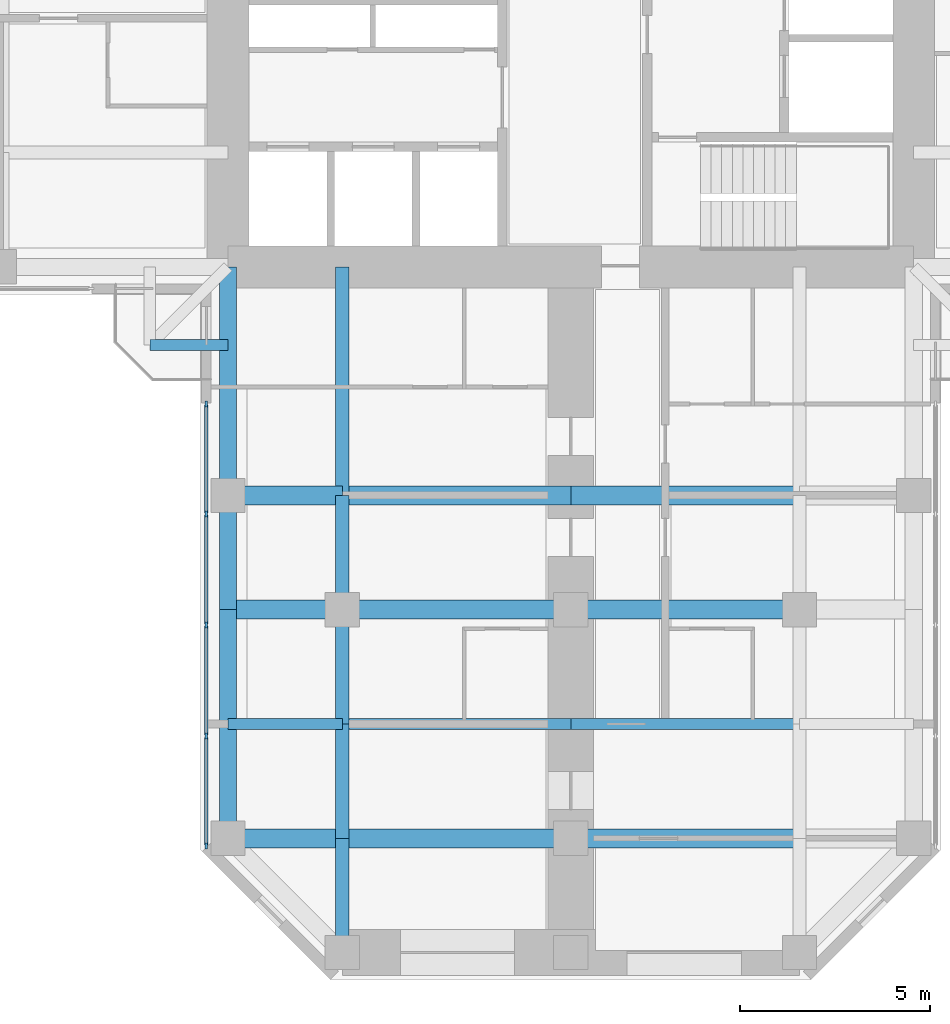
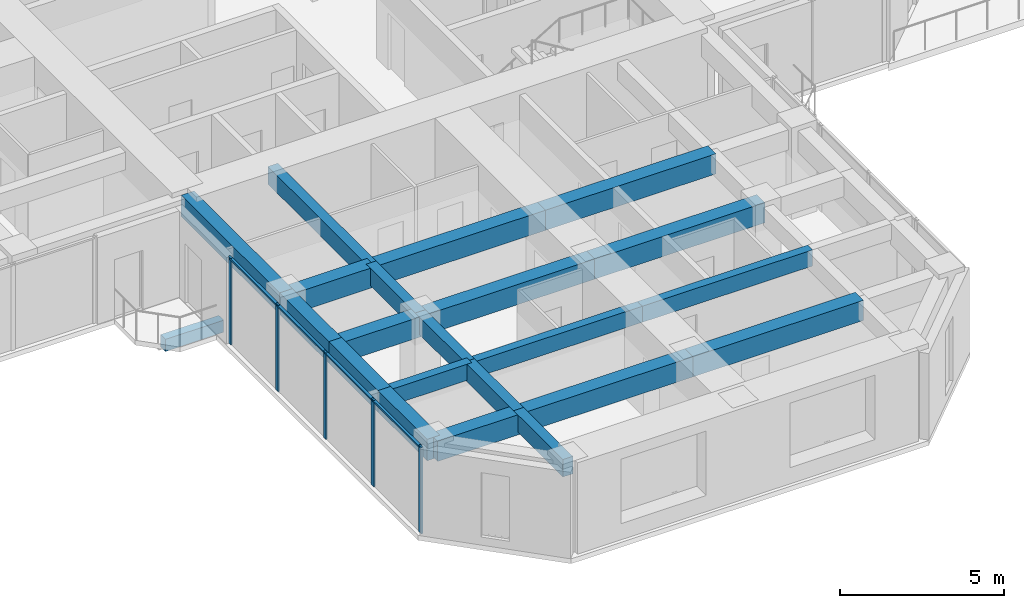
# One storey, part 2 of 14: 22 beams, 9 members, 1 element without a shape of its own.
"""IFC4 building model written with IfcOpenShell, lengths in metres."""

from ifc_helpers import new_model, si_unit, direction, frame, origin, origin_2d, place, context, subcontext, project, spatial, rectangle, extrude, material, material_profile, profile_set, type_object, element, aggregate, save


model = new_model("IFC4")

# Units and contexts
model_context = context("Model", 3, precision=1e-05, world=origin(), true_north=direction((0.0, 1.0)))
body_context = subcontext(model_context, "Body", "Model", "MODEL_VIEW")
ifc_project = project(units=[si_unit("LENGTHUNIT", "METRE"), si_unit("AREAUNIT", "SQUARE_METRE"), si_unit("VOLUMEUNIT", "CUBIC_METRE"), si_unit("PLANEANGLEUNIT", "RADIAN"), si_unit("MASSUNIT", "GRAM", prefix="KILO")], contexts=[model_context])

# Site, building, storey
site_placement = place(None, origin())
site = spatial("IfcSite", under=ifc_project, at=site_placement, CompositionType="ELEMENT")
building_placement = place(site_placement, origin())
building = spatial("IfcBuilding", under=site, at=building_placement, Name="Torre Cruceta", CompositionType="ELEMENT")
storey_placement = place(building_placement, frame((0.0, 0.0, 169.5)))
storey = spatial("IfcBuildingStorey", under=building, at=storey_placement, Name="L41", CompositionType="ELEMENT", Elevation=169.5)

# Beams
ifc_material_1 = material(Name="Concrete G60 (fck 60 MPa)", Category="concrete")
ifc_material_profile_1 = material_profile(ifc_material_1, rectangle(XDim=0.300048828125, YDim=0.449951171875, at=origin_2d()), Name="RC 300X450")
ifc_profile_set_1 = profile_set([ifc_material_profile_1], Name="Concrete G60 (fck 60 MPa)")
beam_type_1 = type_object("IfcBeamType", Name="BALCONY CANTILEVER BEAM RC 300X450", PredefinedType="BEAM", material=ifc_profile_set_1)
beam_1_placement = place(storey_placement, frame((-9.0, -11.050537109375, -0.405029296875), z_axis=(-1.0, 0.0, 0.0), x_axis=(0.0, -1.0, 0.0)))
element("IfcBeam", 1, at=beam_1_placement, inside=storey, type_object=beam_type_1, Name="BB1 balcony edge beam L41 W-Y", PredefinedType="BEAM", context=body_context, shape_type="SweptSolid", body=[
    extrude(rectangle(XDim=0.300048828125, YDim=0.449951171875, at=origin_2d()), origin(), (0.0, 0.0, 1.0), 2.050537109375),
])
ifc_material_2 = material(Name="Concrete G60 (fck 60 MPa)", Category="concrete")
ifc_material_profile_2 = material_profile(ifc_material_2, rectangle(XDim=0.35009765625, YDim=0.64990234375, at=origin_2d()), Name="RC 350X650")
ifc_profile_set_2 = profile_set([ifc_material_profile_2], Name="Concrete G60 (fck 60 MPa)")
beam_type_2 = type_object("IfcBeamType", Name="COLUMN LINE BEAM RC 350X650", PredefinedType="BEAM", material=ifc_profile_set_2)
beam_2_placement = place(storey_placement, frame((-6.0, -9.0, 2.89501953125), z_axis=(0.0, -1.0, 0.0), x_axis=(1.0, 0.0, 0.0)))
element("IfcBeam", 2, at=beam_2_placement, inside=storey, type_object=beam_type_2, Name="LB7 L41 S col- 1", PredefinedType="BEAM", context=body_context, shape_type="SweptSolid", body=[
    extrude(rectangle(XDim=0.35009765625, YDim=0.64990234375, at=origin_2d()), origin(), (0.0, 0.0, 1.0), 6.0),
])
for number, where, z_axis, x_axis, name in (
    (3, (-6.0, -15.0, 2.89501953125), (0.0, -1.0, 0.0), (1.0, 0.0, 0.0), "LB7 L41 S col- 2"),
    (4, (-6.0, -18.0, 2.89501953125), (0.0, -1.0, 0.0), (1.0, 0.0, 0.0), "LB7 L41 S col- 3"),
    (5, (-6.0, -21.0, 2.89501953125), (0.0, -1.0, 0.0), (1.0, 0.0, 0.0), "LB7 L41 S col- 4"),
    (6, (-6.0, -24.0, 2.89501953125), (0.0, -1.0, 0.0), (1.0, 0.0, 0.0), "LB7 L41 S col- 5"),
):
    element("IfcBeam", number, at=place(storey_placement, frame(where, z_axis=z_axis, x_axis=x_axis)), inside=storey, type_object=beam_type_2, Name=name, PredefinedType="BEAM", context=body_context, shape_type="SweptSolid", body=[
        extrude(rectangle(XDim=0.35009765625, YDim=0.64990234375, at=origin_2d()), origin(), (0.0, 0.0, 1.0), 3.0),
    ])
ifc_material_3 = material(Name="Concrete G60 (fck 60 MPa)", Category="concrete")
ifc_material_profile_3 = material_profile(ifc_material_3, rectangle(XDim=0.5, YDim=0.75, at=origin_2d()), Name="RC 500X750")
ifc_profile_set_3 = profile_set([ifc_material_profile_3], Name="Concrete G60 (fck 60 MPa)")
beam_type_3 = type_object("IfcBeamType", Name="CROSS BEAM RC 500X750", PredefinedType="BEAM", material=ifc_profile_set_3)
beam_3_placement = place(storey_placement, frame((-9.0, -15.0, 2.844970703125), z_axis=(1.0, 0.0, 0.0), x_axis=(0.0, 1.0, 0.0)))
element("IfcBeam", 7, at=beam_3_placement, inside=storey, type_object=beam_type_3, Name="GB6 L41 S cross15 1", PredefinedType="BEAM", context=body_context, shape_type="SweptSolid", body=[
    extrude(rectangle(XDim=0.5, YDim=0.75, at=origin_2d()), origin(), (0.0, 0.0, 1.0), 3.0),
])
for number, where, z_axis, x_axis, name in (
    (8, (-6.0, -15.0, 2.844970703125), (1.0, 0.0, 0.0), (0.0, 1.0, 0.0), "GB6 L41 S cross15 2"),
    (9, (0.0, -15.0, 2.844970703125), (1.0, 0.0, 0.0), (0.0, 1.0, 0.0), "GB6 L41 S cross15 3"),
):
    element("IfcBeam", number, at=place(storey_placement, frame(where, z_axis=z_axis, x_axis=x_axis)), inside=storey, type_object=beam_type_3, Name=name, PredefinedType="BEAM", context=body_context, shape_type="SweptSolid", body=[
        extrude(rectangle(XDim=0.5, YDim=0.75, at=origin_2d()), origin(), (0.0, 0.0, 1.0), 6.0),
    ])
beam_4_placement = place(storey_placement, frame((-9.0, -18.0, 2.844970703125), z_axis=(1.0, 0.0, 0.0), x_axis=(0.0, 1.0, 0.0)))
element("IfcBeam", 10, at=beam_4_placement, inside=storey, type_object=beam_type_3, Name="GB6 L41 S cross18 1", PredefinedType="BEAM", context=body_context, shape_type="SweptSolid", body=[
    extrude(rectangle(XDim=0.5, YDim=0.75, at=origin_2d()), origin(), (0.0, 0.0, 1.0), 3.0),
])
for number, where, z_axis, x_axis, name in (
    (11, (-6.0, -18.0, 2.844970703125), (1.0, 0.0, 0.0), (0.0, 1.0, 0.0), "GB6 L41 S cross18 2"),
    (12, (0.0, -18.0, 2.844970703125), (1.0, 0.0, 0.0), (0.0, 1.0, 0.0), "GB6 L41 S cross18 3"),
):
    element("IfcBeam", number, at=place(storey_placement, frame(where, z_axis=z_axis, x_axis=x_axis)), inside=storey, type_object=beam_type_3, Name=name, PredefinedType="BEAM", context=body_context, shape_type="SweptSolid", body=[
        extrude(rectangle(XDim=0.5, YDim=0.75, at=origin_2d()), origin(), (0.0, 0.0, 1.0), 6.0),
    ])
beam_5_placement = place(storey_placement, frame((-9.0, -24.0, 2.844970703125), z_axis=(1.0, 0.0, 0.0), x_axis=(0.0, 1.0, 0.0)))
element("IfcBeam", 13, at=beam_5_placement, inside=storey, type_object=beam_type_3, Name="GB6 L41 S cross24 1", PredefinedType="BEAM", context=body_context, shape_type="SweptSolid", body=[
    extrude(rectangle(XDim=0.5, YDim=0.75, at=origin_2d()), origin(), (0.0, 0.0, 1.0), 3.0),
])
for number, where, z_axis, x_axis, name in (
    (14, (-6.0, -24.0, 2.844970703125), (1.0, 0.0, 0.0), (0.0, 1.0, 0.0), "GB6 L41 S cross24 2"),
    (15, (0.0, -24.0, 2.844970703125), (1.0, 0.0, 0.0), (0.0, 1.0, 0.0), "GB6 L41 S cross24 3"),
):
    element("IfcBeam", number, at=place(storey_placement, frame(where, z_axis=z_axis, x_axis=x_axis)), inside=storey, type_object=beam_type_3, Name=name, PredefinedType="BEAM", context=body_context, shape_type="SweptSolid", body=[
        extrude(rectangle(XDim=0.5, YDim=0.75, at=origin_2d()), origin(), (0.0, 0.0, 1.0), 6.0),
    ])

# Curtain wall, members
ifc_material_4 = material(Name="Aluminium unitised curtain wall", Category="aluminium")
curtain_wall_type = type_object("IfcCurtainWallType", Name="CURTAIN WALL CW-C CO-LIVING", PredefinedType="USERDEFINED", material=ifc_material_4)
curtain_wall_placement = place(storey_placement, origin())
curtain_wall = element("IfcCurtainWall", 16, at=curtain_wall_placement, inside=storey, type_object=curtain_wall_type, Name="CW-C L41 S side 15", ObjectType="UNITISED", PredefinedType="USERDEFINED")
ifc_material_5 = material(Name="Aluminium mullion", Category="aluminium")
ifc_material_profile_4 = material_profile(ifc_material_5, rectangle(XDim=0.06005859375, YDim=0.159912109375, at=origin_2d()), Name="AL 60X160")
ifc_profile_set_4 = profile_set([ifc_material_profile_4], Name="Aluminium mullion")
member_type_1 = type_object("IfcMemberType", Name="CW-C MULLION 60X160", PredefinedType="MULLION", material=ifc_profile_set_4)
member_1_placement = place(storey_placement, frame((-9.570068359375, -12.60009765625, 0.0), z_axis=(0.0, 0.0, 1.0), x_axis=(1.0, 0.0, 0.0)))
member_1 = element("IfcMember", 17, at=member_1_placement, type_object=member_type_1, Name="CW-C mullion 1", PredefinedType="MULLION", context=body_context, shape_type="SweptSolid", body=[
    extrude(rectangle(XDim=0.06005859375, YDim=0.159912109375, at=origin_2d()), origin(), (0.0, 0.0, 1.0), 3.219970703125),
])
member_2_placement = place(storey_placement, frame((-9.570068359375, -15.486572265625, 0.0), z_axis=(0.0, 0.0, 1.0), x_axis=(1.0, 0.0, 0.0)))
member_2 = element("IfcMember", 18, at=member_2_placement, type_object=member_type_1, Name="CW-C mullion 2", PredefinedType="MULLION", context=body_context, shape_type="SweptSolid", body=[
    extrude(rectangle(XDim=0.06005859375, YDim=0.159912109375, at=origin_2d()), origin(), (0.0, 0.0, 1.0), 3.219970703125),
])
member_3_placement = place(storey_placement, frame((-9.570068359375, -18.403076171875, 0.0), z_axis=(0.0, 0.0, 1.0), x_axis=(1.0, 0.0, 0.0)))
member_3 = element("IfcMember", 19, at=member_3_placement, type_object=member_type_1, Name="CW-C mullion 3", PredefinedType="MULLION", context=body_context, shape_type="SweptSolid", body=[
    extrude(rectangle(XDim=0.06005859375, YDim=0.159912109375, at=origin_2d()), origin(), (0.0, 0.0, 1.0), 3.219970703125),
])
member_4_placement = place(storey_placement, frame((-9.570068359375, -21.319580078125, 0.0), z_axis=(0.0, 0.0, 1.0), x_axis=(1.0, 0.0, 0.0)))
member_4 = element("IfcMember", 20, at=member_4_placement, type_object=member_type_1, Name="CW-C mullion 4", PredefinedType="MULLION", context=body_context, shape_type="SweptSolid", body=[
    extrude(rectangle(XDim=0.06005859375, YDim=0.159912109375, at=origin_2d()), origin(), (0.0, 0.0, 1.0), 3.219970703125),
])
member_5_placement = place(storey_placement, frame((-9.570068359375, -24.2060546875, 0.0), z_axis=(0.0, 0.0, 1.0), x_axis=(1.0, 0.0, 0.0)))
member_5 = element("IfcMember", 21, at=member_5_placement, type_object=member_type_1, Name="CW-C mullion 5", PredefinedType="MULLION", context=body_context, shape_type="SweptSolid", body=[
    extrude(rectangle(XDim=0.06005859375, YDim=0.159912109375, at=origin_2d()), origin(), (0.0, 0.0, 1.0), 3.219970703125),
])
ifc_material_6 = material(Name="Aluminium transom", Category="aluminium")
ifc_material_profile_5 = material_profile(ifc_material_6, rectangle(XDim=0.10009765625, YDim=0.06005859375, at=origin_2d()), Name="AL 100X60")
ifc_profile_set_5 = profile_set([ifc_material_profile_5], Name="Aluminium transom")
member_type_2 = type_object("IfcMemberType", Name="CW-C TRANSOM 60X100", PredefinedType="USERDEFINED", material=ifc_profile_set_5)
member_6_placement = place(storey_placement, frame((-9.570068359375, -12.6298828125, 3.18994140625), z_axis=(0.0, -1.0, 0.0), x_axis=(1.0, 0.0, 0.0)))
member_6 = element("IfcMember", 22, at=member_6_placement, type_object=member_type_2, Name="CW-C transom 1", ObjectType="TRANSOM", PredefinedType="USERDEFINED", context=body_context, shape_type="SweptSolid", body=[
    extrude(rectangle(XDim=0.10009765625, YDim=0.06005859375, at=origin_2d()), origin(), (0.0, 0.0, 1.0), 2.82666015625),
])
member_7_placement = place(storey_placement, frame((-9.570068359375, -15.5166015625, 3.18994140625), z_axis=(0.0, -1.0, 0.0), x_axis=(1.0, 0.0, 0.0)))
member_7 = element("IfcMember", 23, at=member_7_placement, type_object=member_type_2, Name="CW-C transom 2", ObjectType="TRANSOM", PredefinedType="USERDEFINED", context=body_context, shape_type="SweptSolid", body=[
    extrude(rectangle(XDim=0.10009765625, YDim=0.06005859375, at=origin_2d()), origin(), (0.0, 0.0, 1.0), 2.8564453125),
])
member_8_placement = place(storey_placement, frame((-9.570068359375, -18.43310546875, 3.18994140625), z_axis=(0.0, -1.0, 0.0), x_axis=(1.0, 0.0, 0.0)))
member_8 = element("IfcMember", 24, at=member_8_placement, type_object=member_type_2, Name="CW-C transom 3", ObjectType="TRANSOM", PredefinedType="USERDEFINED", context=body_context, shape_type="SweptSolid", body=[
    extrude(rectangle(XDim=0.10009765625, YDim=0.06005859375, at=origin_2d()), origin(), (0.0, 0.0, 1.0), 2.8564453125),
])
member_9_placement = place(storey_placement, frame((-9.570068359375, -21.349609375, 3.18994140625), z_axis=(0.0, -1.0, 0.0), x_axis=(1.0, 0.0, 0.0)))
member_9 = element("IfcMember", 25, at=member_9_placement, type_object=member_type_2, Name="CW-C transom 4", ObjectType="TRANSOM", PredefinedType="USERDEFINED", context=body_context, shape_type="SweptSolid", body=[
    extrude(rectangle(XDim=0.10009765625, YDim=0.06005859375, at=origin_2d()), origin(), (0.0, 0.0, 1.0), 2.826416015625),
])
aggregate(curtain_wall, [member_1, member_2, member_3, member_4, member_5, member_6, member_7, member_8, member_9])

# Beams
ifc_material_7 = material(Name="Concrete G60 (fck 60 MPa)", Category="concrete")
ifc_material_profile_6 = material_profile(ifc_material_7, rectangle(XDim=0.300048828125, YDim=0.60009765625, at=origin_2d()), Name="RC 300X600")
ifc_profile_set_6 = profile_set([ifc_material_profile_6], Name="Concrete G60 (fck 60 MPa)")
beam_type_4 = type_object("IfcBeamType", Name="SECONDARY BEAM RC 300X600", PredefinedType="JOIST", material=ifc_profile_set_6)
beam_6_placement = place(storey_placement, frame((-9.0, -21.0, 2.919921875), z_axis=(1.0, 0.0, 0.0), x_axis=(0.0, 1.0, 0.0)))
element("IfcBeam", 26, at=beam_6_placement, inside=storey, type_object=beam_type_4, Name="JB6 L41 S sec21 1", PredefinedType="JOIST", context=body_context, shape_type="SweptSolid", body=[
    extrude(rectangle(XDim=0.300048828125, YDim=0.60009765625, at=origin_2d()), origin(), (0.0, 0.0, 1.0), 3.0),
])
for number, where, z_axis, x_axis, name in (
    (27, (-6.0, -21.0, 2.919921875), (1.0, 0.0, 0.0), (0.0, 1.0, 0.0), "JB6 L41 S sec21 2"),
    (28, (0.0, -21.0, 2.919921875), (1.0, 0.0, 0.0), (0.0, 1.0, 0.0), "JB6 L41 S sec21 3"),
):
    element("IfcBeam", number, at=place(storey_placement, frame(where, z_axis=z_axis, x_axis=x_axis)), inside=storey, type_object=beam_type_4, Name=name, PredefinedType="JOIST", context=body_context, shape_type="SweptSolid", body=[
        extrude(rectangle(XDim=0.300048828125, YDim=0.60009765625, at=origin_2d()), origin(), (0.0, 0.0, 1.0), 6.0),
    ])
ifc_material_8 = material(Name="Concrete G60 (fck 60 MPa)", Category="concrete")
ifc_material_profile_7 = material_profile(ifc_material_8, rectangle(XDim=0.449951171875, YDim=0.800048828125, at=origin_2d()), Name="RC 450X800")
ifc_profile_set_7 = profile_set([ifc_material_profile_7], Name="Concrete G60 (fck 60 MPa)")
beam_type_5 = type_object("IfcBeamType", Name="SPANDREL BEAM RC 450X800", PredefinedType="SPANDREL", material=ifc_profile_set_7)
beam_7_placement = place(storey_placement, frame((-9.0, -9.0, 2.820068359375), z_axis=(0.0, -1.0, 0.0), x_axis=(1.0, 0.0, 0.0)))
element("IfcBeam", 29, at=beam_7_placement, inside=storey, type_object=beam_type_5, Name="SB6 L41 S side- 1", PredefinedType="SPANDREL", context=body_context, shape_type="SweptSolid", body=[
    extrude(rectangle(XDim=0.449951171875, YDim=0.800048828125, at=origin_2d()), origin(), (0.0, 0.0, 1.0), 6.0),
])
for number, where, z_axis, x_axis, name in (
    (30, (-9.0, -15.0, 2.820068359375), (0.0, -1.0, 0.0), (1.0, 0.0, 0.0), "SB6 L41 S side- 2"),
    (31, (-9.0, -18.0, 2.820068359375), (0.0, -1.0, 0.0), (1.0, 0.0, 0.0), "SB6 L41 S side- 3"),
    (32, (-9.0, -21.0, 2.820068359375), (0.0, -1.0, 0.0), (1.0, 0.0, 0.0), "SB6 L41 S side- 4"),
):
    element("IfcBeam", number, at=place(storey_placement, frame(where, z_axis=z_axis, x_axis=x_axis)), inside=storey, type_object=beam_type_5, Name=name, PredefinedType="SPANDREL", context=body_context, shape_type="SweptSolid", body=[
        extrude(rectangle(XDim=0.449951171875, YDim=0.800048828125, at=origin_2d()), origin(), (0.0, 0.0, 1.0), 3.0),
    ])

save(model, "model.ifc")
